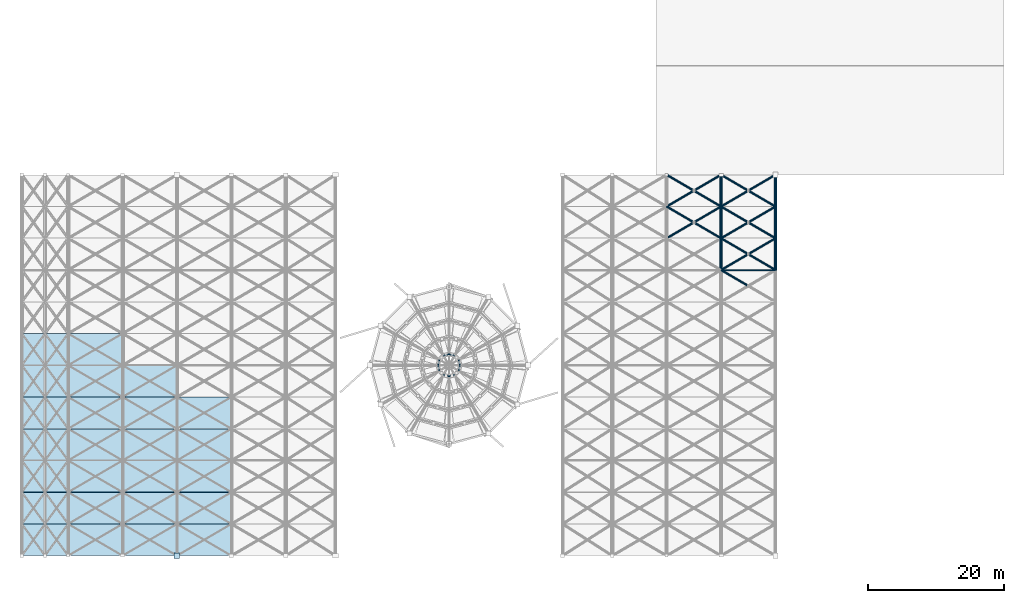
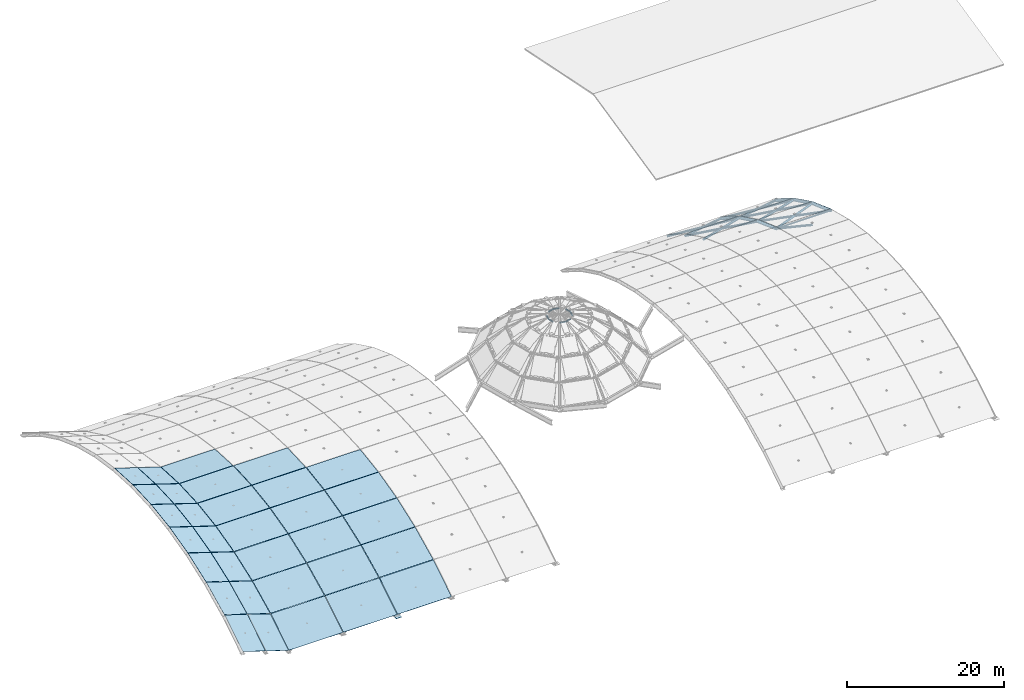
# One storey, part 11 of 21: 33 plates, 31 members.
"""IFC4 building model written with IfcOpenShell, lengths in metres."""

from ifc_helpers import new_model, si_unit, direction, frame, origin, origin_2d, place, context, subcontext, project, spatial, polyline, rectangle, hollow_circle, outline, extrude, material, layer, layer_set, material_profile, profile_set, type_object, element, save


model = new_model("IFC4")

# Units and contexts
model_context = context("Model", 3, precision=1e-05, world=origin(), true_north=direction((0.0, 1.0)))
body_context = subcontext(model_context, "Body", "Model", "MODEL_VIEW")
ifc_project = project(units=[si_unit("LENGTHUNIT", "METRE"), si_unit("AREAUNIT", "SQUARE_METRE"), si_unit("VOLUMEUNIT", "CUBIC_METRE"), si_unit("PLANEANGLEUNIT", "RADIAN"), si_unit("MASSUNIT", "GRAM", prefix="KILO")], contexts=[model_context])

# Site, building, storey
site_placement = place(None, origin())
site = spatial("IfcSite", under=ifc_project, at=site_placement, CompositionType="ELEMENT")
building_placement = place(site_placement, origin())
building = spatial("IfcBuilding", under=site, at=building_placement, Name="Solmirada Galleria", CompositionType="ELEMENT")
storey_placement = place(building_placement, frame((0.0, 0.0, 37.5)))
storey = spatial("IfcBuildingStorey", under=building, at=storey_placement, Name="RF", CompositionType="ELEMENT", Elevation=37.5)

# Members
ifc_material_1 = material(Name="Steel S355 / ASTM A500 Grade C", Category="steel")
ifc_material_profile_1 = material_profile(ifc_material_1, hollow_circle(Radius=0.109619140625, WallThickness=0.007568359375, at=origin_2d()), Name="HSS8.625X0.322")
ifc_profile_set_1 = profile_set([ifc_material_profile_1], Name="Steel S355 / ASTM A500 Grade C")
member_type_1 = type_object("IfcMemberType", Name="MEM-DOME-PURL", PredefinedType="PURLIN", material=ifc_profile_set_1)
member_1_placement = place(storey_placement, frame((136.0, 74.0, -2.471923828125), z_axis=(1.0, 0.0, 0.0), x_axis=(0.0, 1.0, 0.0)))
element("IfcMember", 1, at=member_1_placement, inside=storey, type_object=member_type_1, Name="Barrel gridshell longitudinal tie E03-09", PredefinedType="PURLIN", context=body_context, shape_type="SweptSolid", body=[
    extrude(hollow_circle(Radius=0.109619140625, WallThickness=0.007568359375, at=origin_2d()), origin(), (0.0, 0.0, 1.0), 8.0),
])
for number, where, z_axis, x_axis, name in (
    (2, (97.6240234375, 60.0, 6.5), (-0.258765118567, 0.965940274247, 0.0), (-0.965940274247, -0.258765118567, 0.0), "Atrium dome latitude ring purlin 1.4"),
    (3, (96.81201171875, 61.406494140625, 6.5), (-0.965940274247, 0.258765118567, 0.0), (-0.258765118567, -0.965940274247, 0.0), "Atrium dome latitude ring purlin 3.4"),
    (4, (96.0, 61.6240234375, 6.5), (-0.965940274247, -0.258765118567, 0.0), (0.258765118567, -0.965940274247, 0.0), "Atrium dome latitude ring purlin 4.4"),
    (5, (94.593505859375, 60.81201171875, 6.5), (-0.258765118567, -0.965940274247, 0.0), (0.965940274247, -0.258765118567, 0.0), "Atrium dome latitude ring purlin 6.4"),
    (6, (94.3759765625, 60.0, 6.5), (0.258765118567, -0.965940274247, 0.0), (0.965940274247, 0.258765118567, 0.0), "Atrium dome latitude ring purlin 7.4"),
    (7, (95.18798828125, 58.593505859375, 6.5), (0.965940274247, -0.258765118567, 0.0), (0.258765118567, 0.965940274247, 0.0), "Atrium dome latitude ring purlin 9.4"),
    (8, (96.0, 58.3759765625, 6.5), (0.965940274247, 0.258765118567, 0.0), (-0.258765118567, 0.965940274247, 0.0), "Atrium dome latitude ring purlin 10.4"),
    (9, (97.406494140625, 59.18798828125, 6.5), (0.258765118567, 0.965940274247, 0.0), (-0.965940274247, 0.258765118567, 0.0), "Atrium dome latitude ring purlin 12.4"),
):
    element("IfcMember", number, at=place(storey_placement, frame(where, z_axis=z_axis, x_axis=x_axis)), inside=storey, type_object=member_type_1, Name=name, PredefinedType="PURLIN", context=body_context, shape_type="SweptSolid", body=[
        extrude(hollow_circle(Radius=0.109619140625, WallThickness=0.007568359375, at=origin_2d()), origin(), (0.0, 0.0, 1.0), 0.840576171875),
    ])
ifc_material_profile_2 = material_profile(ifc_material_1, hollow_circle(Radius=0.228515625, WallThickness=0.01171875, at=origin_2d()), Name="HSS18.000X0.500")
ifc_profile_set_2 = profile_set([ifc_material_profile_2], Name="Steel S355 / ASTM A500 Grade C")
member_type_2 = type_object("IfcMemberType", Name="MEM-VAULT-ARCH2", PredefinedType="RAFTER", material=ifc_profile_set_2)
member_2_placement = place(storey_placement, frame((136.0, 74.0, -2.471923828125), z_axis=(0.0, 0.939570777515, -0.342354719612), x_axis=(-1.0, 0.0, 0.0)))
element("IfcMember", 10, at=member_2_placement, inside=storey, type_object=member_type_2, Name="Barrel vault arch rib E03-09", PredefinedType="RAFTER", context=body_context, shape_type="SweptSolid", body=[
    extrude(hollow_circle(Radius=0.228515625, WallThickness=0.01171875, at=origin_2d()), origin(), (0.0, 0.0, 1.0), 4.966796875),
])
member_3_placement = place(storey_placement, frame((136.0, 78.666748046875, -4.17236328125), z_axis=(0.0, 0.899303609311, -0.437324842971), x_axis=(-1.0, 0.0, 0.0)))
element("IfcMember", 11, at=member_3_placement, inside=storey, type_object=member_type_2, Name="Barrel vault arch rib E03-10", PredefinedType="RAFTER", context=body_context, shape_type="SweptSolid", body=[
    extrude(hollow_circle(Radius=0.228515625, WallThickness=0.01171875, at=origin_2d()), origin(), (0.0, 0.0, 1.0), 5.18896484375),
])
member_4_placement = place(storey_placement, frame((136.0, 83.333251953125, -6.441650390625), z_axis=(0.0, 0.847856236134, -0.53022618084), x_axis=(-1.0, 0.0, 0.0)))
element("IfcMember", 12, at=member_4_placement, inside=storey, type_object=member_type_2, Name="Barrel vault arch rib E03-11", PredefinedType="RAFTER", context=body_context, shape_type="SweptSolid", body=[
    extrude(hollow_circle(Radius=0.228515625, WallThickness=0.01171875, at=origin_2d()), origin(), (0.0, 0.0, 1.0), 5.504150390625),
])
member_5_placement = place(storey_placement, frame((144.0, 74.0, -2.471923828125), z_axis=(0.0, 0.939570777515, -0.342354719612), x_axis=(-1.0, 0.0, 0.0)))
element("IfcMember", 13, at=member_5_placement, inside=storey, type_object=member_type_2, Name="Barrel vault arch rib E04-09", PredefinedType="RAFTER", context=body_context, shape_type="SweptSolid", body=[
    extrude(hollow_circle(Radius=0.228515625, WallThickness=0.01171875, at=origin_2d()), origin(), (0.0, 0.0, 1.0), 4.966796875),
])
member_6_placement = place(storey_placement, frame((144.0, 78.666748046875, -4.17236328125), z_axis=(0.0, 0.899303609311, -0.437324842971), x_axis=(-1.0, 0.0, 0.0)))
element("IfcMember", 14, at=member_6_placement, inside=storey, type_object=member_type_2, Name="Barrel vault arch rib E04-10", PredefinedType="RAFTER", context=body_context, shape_type="SweptSolid", body=[
    extrude(hollow_circle(Radius=0.228515625, WallThickness=0.01171875, at=origin_2d()), origin(), (0.0, 0.0, 1.0), 5.18896484375),
])
member_7_placement = place(storey_placement, frame((144.0, 83.333251953125, -6.441650390625), z_axis=(0.0, 0.847856236134, -0.53022618084), x_axis=(-1.0, 0.0, 0.0)))
element("IfcMember", 15, at=member_7_placement, inside=storey, type_object=member_type_2, Name="Barrel vault arch rib E04-11", PredefinedType="RAFTER", context=body_context, shape_type="SweptSolid", body=[
    extrude(hollow_circle(Radius=0.228515625, WallThickness=0.01171875, at=origin_2d()), origin(), (0.0, 0.0, 1.0), 5.504150390625),
])
ifc_material_profile_3 = material_profile(ifc_material_1, hollow_circle(Radius=0.162109375, WallThickness=0.0087890625, at=origin_2d()), Name="HSS12.750X0.375")
ifc_profile_set_3 = profile_set([ifc_material_profile_3], Name="Steel S355 / ASTM A500 Grade C")
member_type_3 = type_object("IfcMemberType", Name="MEM-VAULT-DIAG", PredefinedType="BRACE", material=ifc_profile_set_3)
member_8_placement = place(storey_placement, frame((128.0, 78.666748046875, -4.17236328125), z_axis=(0.838969414701, 0.489381756366, -0.237982809743), x_axis=(-0.503857913421, 0.863786549492, 0.0)))
element("IfcMember", 16, at=member_8_placement, inside=storey, type_object=member_type_3, Name="Barrel gridshell continuous diagonal E02-10", PredefinedType="BRACE", context=body_context, shape_type="SweptSolid", body=[
    extrude(hollow_circle(Radius=0.162109375, WallThickness=0.0087890625, at=origin_2d()), origin(), (0.0, 0.0, 1.0), 9.535400390625),
])
for number, where, z_axis, x_axis, name in (
    (17, (128.0, 83.333251953125, -6.441650390625), (0.838964302507, -0.489378774357, 0.238006962772), (0.503857913421, 0.863786549492, 0.0), "Barrel gridshell split diagonal B1 E02-10"),
    (18, (132.0, 81.0, -5.306884765625), (0.838974526438, -0.489384738108, 0.237958656272), (0.503857913421, 0.863786549492, 0.0), "Barrel gridshell split diagonal B2 E02-10"),
):
    element("IfcMember", number, at=place(storey_placement, frame(where, z_axis=z_axis, x_axis=x_axis)), inside=storey, type_object=member_type_3, Name=name, PredefinedType="BRACE", context=body_context, shape_type="SweptSolid", body=[
        extrude(hollow_circle(Radius=0.162109375, WallThickness=0.0087890625, at=origin_2d()), origin(), (0.0, 0.0, 1.0), 4.767822265625),
    ])
member_9_placement = place(storey_placement, frame((128.0, 83.333251953125, -6.441650390625), z_axis=(0.823841216452, 0.480582423477, -0.300543148849), x_axis=(-0.503877581445, 0.863775076578, 0.0)))
element("IfcMember", 19, at=member_9_placement, inside=storey, type_object=member_type_3, Name="Barrel gridshell continuous diagonal E02-11", PredefinedType="BRACE", context=body_context, shape_type="SweptSolid", body=[
    extrude(hollow_circle(Radius=0.162109375, WallThickness=0.0087890625, at=origin_2d()), origin(), (0.0, 0.0, 1.0), 9.710693359375),
])
member_10_placement = place(storey_placement, frame((128.0, 88.0, -9.360107421875), z_axis=(0.823851170541, -0.480563088187, 0.300546780171), x_axis=(0.503857913421, 0.863786549492, 0.0)))
element("IfcMember", 20, at=member_10_placement, inside=storey, type_object=member_type_3, Name="Barrel gridshell split diagonal B1 E02-11", PredefinedType="BRACE", context=body_context, shape_type="SweptSolid", body=[
    extrude(hollow_circle(Radius=0.162109375, WallThickness=0.0087890625, at=origin_2d()), origin(), (0.0, 0.0, 1.0), 4.855224609375),
])
member_11_placement = place(storey_placement, frame((132.0, 85.666748046875, -7.90087890625), z_axis=(0.823831262204, -0.480601758066, 0.300539517468), x_axis=(0.503897248685, 0.863763603521, 0.0)))
element("IfcMember", 21, at=member_11_placement, inside=storey, type_object=member_type_3, Name="Barrel gridshell split diagonal B2 E02-11", PredefinedType="BRACE", context=body_context, shape_type="SweptSolid", body=[
    extrude(hollow_circle(Radius=0.162109375, WallThickness=0.0087890625, at=origin_2d()), origin(), (0.0, 0.0, 1.0), 4.85546875),
])
member_12_placement = place(storey_placement, frame((136.0, 74.0, -2.471923828125), z_axis=(0.856823806881, -0.499796455222, 0.126714116459), x_axis=(0.503857913421, 0.863786549492, 0.0)))
element("IfcMember", 22, at=member_12_placement, inside=storey, type_object=member_type_3, Name="Barrel gridshell split diagonal B1 E03-08", PredefinedType="BRACE", context=body_context, shape_type="SweptSolid", body=[
    extrude(hollow_circle(Radius=0.162109375, WallThickness=0.0087890625, at=origin_2d()), origin(), (0.0, 0.0, 1.0), 4.66845703125),
])
member_13_placement = place(storey_placement, frame((136.0, 74.0, -2.471923828125), z_axis=(0.84957466948, 0.495593866184, -0.180581285795), x_axis=(-0.503877581445, 0.863775076578, 0.0)))
element("IfcMember", 23, at=member_13_placement, inside=storey, type_object=member_type_3, Name="Barrel gridshell continuous diagonal E03-09", PredefinedType="BRACE", context=body_context, shape_type="SweptSolid", body=[
    extrude(hollow_circle(Radius=0.162109375, WallThickness=0.0087890625, at=origin_2d()), origin(), (0.0, 0.0, 1.0), 9.41650390625),
])
for number, where, z_axis, x_axis, name in (
    (24, (136.0, 78.666748046875, -4.17236328125), (0.849567730246, -0.495615744977, 0.180553884077), (0.503897248685, 0.863763603521, 0.0), "Barrel gridshell split diagonal B1 E03-09"),
    (25, (140.0, 76.333251953125, -3.322265625), (0.849581607741, -0.4955719864, 0.18060868773), (0.503857913421, 0.863786549492, 0.0), "Barrel gridshell split diagonal B2 E03-09"),
):
    element("IfcMember", number, at=place(storey_placement, frame(where, z_axis=z_axis, x_axis=x_axis)), inside=storey, type_object=member_type_3, Name=name, PredefinedType="BRACE", context=body_context, shape_type="SweptSolid", body=[
        extrude(hollow_circle(Radius=0.162109375, WallThickness=0.0087890625, at=origin_2d()), origin(), (0.0, 0.0, 1.0), 4.708251953125),
    ])
member_14_placement = place(storey_placement, frame((136.0, 78.666748046875, -4.17236328125), z_axis=(0.838969414701, 0.489381756366, -0.237982809743), x_axis=(-0.503857913421, 0.863786549492, 0.0)))
element("IfcMember", 26, at=member_14_placement, inside=storey, type_object=member_type_3, Name="Barrel gridshell continuous diagonal E03-10", PredefinedType="BRACE", context=body_context, shape_type="SweptSolid", body=[
    extrude(hollow_circle(Radius=0.162109375, WallThickness=0.0087890625, at=origin_2d()), origin(), (0.0, 0.0, 1.0), 9.535400390625),
])
for number, where, z_axis, x_axis, name in (
    (27, (136.0, 83.333251953125, -6.441650390625), (0.838964302507, -0.489378774357, 0.238006962772), (0.503857913421, 0.863786549492, 0.0), "Barrel gridshell split diagonal B1 E03-10"),
    (28, (140.0, 81.0, -5.306884765625), (0.838974526438, -0.489384738108, 0.237958656272), (0.503857913421, 0.863786549492, 0.0), "Barrel gridshell split diagonal B2 E03-10"),
):
    element("IfcMember", number, at=place(storey_placement, frame(where, z_axis=z_axis, x_axis=x_axis)), inside=storey, type_object=member_type_3, Name=name, PredefinedType="BRACE", context=body_context, shape_type="SweptSolid", body=[
        extrude(hollow_circle(Radius=0.162109375, WallThickness=0.0087890625, at=origin_2d()), origin(), (0.0, 0.0, 1.0), 4.767822265625),
    ])
member_15_placement = place(storey_placement, frame((136.0, 83.333251953125, -6.441650390625), z_axis=(0.823841216452, 0.480582423477, -0.300543148849), x_axis=(-0.503877581445, 0.863775076578, 0.0)))
element("IfcMember", 29, at=member_15_placement, inside=storey, type_object=member_type_3, Name="Barrel gridshell continuous diagonal E03-11", PredefinedType="BRACE", context=body_context, shape_type="SweptSolid", body=[
    extrude(hollow_circle(Radius=0.162109375, WallThickness=0.0087890625, at=origin_2d()), origin(), (0.0, 0.0, 1.0), 9.710693359375),
])
member_16_placement = place(storey_placement, frame((136.0, 88.0, -9.360107421875), z_axis=(0.823851170541, -0.480563088187, 0.300546780171), x_axis=(0.503857913421, 0.863786549492, 0.0)))
element("IfcMember", 30, at=member_16_placement, inside=storey, type_object=member_type_3, Name="Barrel gridshell split diagonal B1 E03-11", PredefinedType="BRACE", context=body_context, shape_type="SweptSolid", body=[
    extrude(hollow_circle(Radius=0.162109375, WallThickness=0.0087890625, at=origin_2d()), origin(), (0.0, 0.0, 1.0), 4.855224609375),
])
member_17_placement = place(storey_placement, frame((140.0, 85.666748046875, -7.90087890625), z_axis=(0.823831262204, -0.480601758066, 0.300539517468), x_axis=(0.503897248685, 0.863763603521, 0.0)))
element("IfcMember", 31, at=member_17_placement, inside=storey, type_object=member_type_3, Name="Barrel gridshell split diagonal B2 E03-11", PredefinedType="BRACE", context=body_context, shape_type="SweptSolid", body=[
    extrude(hollow_circle(Radius=0.162109375, WallThickness=0.0087890625, at=origin_2d()), origin(), (0.0, 0.0, 1.0), 4.85546875),
])

# Plates
ifc_material_2 = material(Name="Steel S355 / ASTM A572 Grade 50", Category="steel")
ifc_layer_1 = layer(ifc_material_2, 0.044921875)
ifc_layer_set_1 = layer_set([ifc_layer_1], Name="Steel S355 / ASTM A572 Grade 50")
plate_type_1 = type_object("IfcPlateType", Name="PLT-NODE-05", PredefinedType="SHEET", material=ifc_layer_set_1)
plate_1_placement = place(storey_placement, frame((56.0, 32.0, -9.382568359375), z_axis=(0.0, 0.0, 1.0), x_axis=(1.0, 0.0, 0.0)))
element("IfcPlate", 32, at=plate_1_placement, inside=storey, type_object=plate_type_1, Name="Barrel vault arch shoe node plate W04-1", PredefinedType="SHEET", context=body_context, shape_type="SweptSolid", body=[
    extrude(rectangle(XDim=0.800048828125, YDim=0.800048828125, at=origin_2d()), origin(), (0.0, 0.0, 1.0), 0.044921875),
])
ifc_material_3 = material(Name="Laminated solar-control skylight glass", Category="glass")
ifc_layer_2 = layer(ifc_material_3, 0.031982421875)
ifc_layer_set_2 = layer_set([ifc_layer_2], Name="Laminated solar-control skylight glass")
plate_type_2 = type_object("IfcPlateType", Name="PLT-VPANEL-00-BAY", PredefinedType="SHEET", material=ifc_layer_set_2)
for number, where, z_axis, x_axis, name in (
    (33, (40.031982421875, 32.018798828125, -9.058349609375), (0.0, -0.530236062005, 0.847850056643), (1.0, 0.0, 0.0), "Barrel gridshell diamond glazing W02-00"),
    (34, (48.031982421875, 32.018798828125, -9.058349609375), (0.0, -0.530236062005, 0.847850056643), (1.0, 0.0, 0.0), "Barrel gridshell diamond glazing W03-00"),
    (35, (56.031982421875, 32.018798828125, -9.058349609375), (0.0, -0.530236062005, 0.847850056643), (1.0, 0.0, 0.0), "Barrel gridshell diamond glazing W04-00"),
):
    element("IfcPlate", number, at=place(storey_placement, frame(where, z_axis=z_axis, x_axis=x_axis)), inside=storey, type_object=plate_type_2, Name=name, PredefinedType="SHEET", context=body_context, shape_type="SweptSolid", body=[
        extrude(outline(polyline([(0.0, 0.0), (7.93603515625, 0.0), (7.93603515625, 5.459869176577636), (0.0, 5.459869176577636), (0.0, 0.0)])), origin(), (0.0, 0.0, -1.0), 0.031982421875),
    ])
ifc_layer_3 = layer(ifc_material_3, 0.031982421875)
ifc_layer_set_3 = layer_set([ifc_layer_3], Name="Laminated solar-control skylight glass")
plate_type_3 = type_object("IfcPlateType", Name="PLT-VPANEL-00-CAN", PredefinedType="SHEET", material=ifc_layer_set_3)
plate_2_placement = place(storey_placement, frame((33.213623046875, 32.018798828125, -6.86279296875), z_axis=(0.264502037964, -0.511351771648, 0.817653983996), x_axis=(0.951455789712, 0.0, -0.307785445112)))
element("IfcPlate", 36, at=plate_2_placement, inside=storey, type_object=plate_type_3, Name="Barrel gridshell diamond glazing W00-00", PredefinedType="SHEET", context=body_context, shape_type="SweptSolid", body=[
    extrude(outline(polyline([(0.0, 0.0), (3.5448864475297985, 1.1102230246251565e-16), (2.653841572495639, 5.3866696999183015), (-0.8910448750341596, 5.3866696999183015), (0.0, 0.0)])), origin(), (0.0, 0.0, -1.0), 0.031982421875),
])
plate_3_placement = place(storey_placement, frame((36.613525390625, 32.018798828125, -7.962646484375), z_axis=(0.2645570819, -0.511343765828, 0.81764118265), x_axis=(0.951435619559, 0.0, -0.307847790042)))
element("IfcPlate", 37, at=plate_3_placement, inside=storey, type_object=plate_type_3, Name="Barrel gridshell diamond glazing W01-00", PredefinedType="SHEET", context=body_context, shape_type="SweptSolid", body=[
    extrude(outline(polyline([(0.0, 0.0), (3.5449615980712794, 0.0), (2.6537362332475403, 5.386639840794756), (-0.8912253648237394, 5.386639840794756), (0.0, 0.0)])), origin(), (0.0, 0.0, -1.0), 0.031982421875),
])
ifc_layer_4 = layer(ifc_material_3, 0.033935546875)
ifc_layer_set_4 = layer_set([ifc_layer_4], Name="Laminated solar-control skylight glass")
plate_type_4 = type_object("IfcPlateType", Name="PLT-VPANEL-01-BAY", PredefinedType="SHEET", material=ifc_layer_set_4)
for number, where, z_axis, x_axis, name in (
    (38, (40.031982421875, 36.685302734375, -6.142578125), (0.0, -0.437283282733, 0.899323818567), (1.0, 0.0, 0.0), "Barrel gridshell diamond glazing W02-01"),
    (39, (48.031982421875, 36.685302734375, -6.142578125), (0.0, -0.437283282733, 0.899323818567), (1.0, 0.0, 0.0), "Barrel gridshell diamond glazing W03-01"),
    (40, (56.031982421875, 36.685302734375, -6.142578125), (0.0, -0.437283282733, 0.899323818567), (1.0, 0.0, 0.0), "Barrel gridshell diamond glazing W04-01"),
):
    element("IfcPlate", number, at=place(storey_placement, frame(where, z_axis=z_axis, x_axis=x_axis)), inside=storey, type_object=plate_type_4, Name=name, PredefinedType="SHEET", context=body_context, shape_type="SweptSolid", body=[
        extrude(outline(polyline([(0.0, 0.0), (7.93603515625, 0.0), (7.93603515625, 5.147639188102807), (0.0, 5.147639188102807), (0.0, 0.0)])), origin(), (0.0, 0.0, -1.0), 0.033935546875),
    ])
ifc_layer_5 = layer(ifc_material_3, 0.033935546875)
ifc_layer_set_5 = layer_set([ifc_layer_5], Name="Laminated solar-control skylight glass")
plate_type_5 = type_object("IfcPlateType", Name="PLT-VPANEL-01-CAN", PredefinedType="SHEET", material=ifc_layer_set_5)
plate_4_placement = place(storey_placement, frame((33.213623046875, 36.685302734375, -3.947021484375), z_axis=(0.279366517035, -0.419891062735, 0.863507871762), x_axis=(0.951447483053, 1.2485636e-05, -0.307811122015)))
element("IfcPlate", 41, at=plate_4_placement, inside=storey, type_object=plate_type_5, Name="Barrel gridshell diamond glazing W00-01", PredefinedType="SHEET", context=body_context, shape_type="SweptSolid", body=[
    extrude(outline(polyline([(0.0, 0.0), (3.5448864459626126, 5.551115123125783e-17), (2.8520686255646024, 5.1008031394594795), (-0.6928929695977208, 5.100900675539281), (0.0, 0.0)])), origin(), (0.0, 0.0, -1.0), 0.033935546875),
])
plate_5_placement = place(storey_placement, frame((36.613525390625, 36.685302734375, -5.046875), z_axis=(0.279398001208, -0.419868641383, 0.863508587626), x_axis=(0.951435619559, 0.0, -0.307847790042)))
element("IfcPlate", 42, at=plate_5_placement, inside=storey, type_object=plate_type_5, Name="Barrel gridshell diamond glazing W01-01", PredefinedType="SHEET", context=body_context, shape_type="SweptSolid", body=[
    extrude(outline(polyline([(0.0, 0.0), (3.5449615980712794, 0.0), (2.8520034378693166, 5.100784076894574), (-0.692958160201963, 5.100784076894575), (0.0, 0.0)])), origin(), (0.0, 0.0, -1.0), 0.033935546875),
])
ifc_layer_6 = layer(ifc_material_3, 0.035888671875)
ifc_layer_set_6 = layer_set([ifc_layer_6], Name="Laminated solar-control skylight glass")
plate_type_6 = type_object("IfcPlateType", Name="PLT-VPANEL-02-BAY", PredefinedType="SHEET", material=ifc_layer_set_6)
for number, where, z_axis, x_axis, name in (
    (43, (40.031982421875, 41.35205078125, -3.87548828125), (0.0, -0.342359685666, 0.939568968001), (1.0, 0.0, 0.0), "Barrel gridshell diamond glazing W02-02"),
    (44, (48.031982421875, 41.35205078125, -3.87548828125), (0.0, -0.342359685666, 0.939568968001), (1.0, 0.0, 0.0), "Barrel gridshell diamond glazing W03-02"),
    (45, (56.031982421875, 41.35205078125, -3.87548828125), (0.0, -0.342359685666, 0.939568968001), (1.0, 0.0, 0.0), "Barrel gridshell diamond glazing W04-02"),
):
    element("IfcPlate", number, at=place(storey_placement, frame(where, z_axis=z_axis, x_axis=x_axis)), inside=storey, type_object=plate_type_6, Name=name, PredefinedType="SHEET", context=body_context, shape_type="SweptSolid", body=[
        extrude(outline(polyline([(0.0, 0.0), (7.93603515625, 0.0), (7.93603515625, 4.926887273079958), (0.0, 4.926887273079958), (0.0, 0.0)])), origin(), (0.0, 0.0, -1.0), 0.035888671875),
    ])
ifc_layer_7 = layer(ifc_material_3, 0.035888671875)
ifc_layer_set_7 = layer_set([ifc_layer_7], Name="Laminated solar-control skylight glass")
plate_type_7 = type_object("IfcPlateType", Name="PLT-VPANEL-02-CAN", PredefinedType="SHEET", material=ifc_layer_set_7)
plate_6_placement = place(storey_placement, frame((33.213623046875, 41.35205078125, -1.679931640625), z_axis=(0.290864206832, -0.327557540647, 0.8989460889), x_axis=(0.951435619559, 0.0, -0.307847790042)))
element("IfcPlate", 46, at=plate_6_placement, inside=storey, type_object=plate_type_7, Name="Barrel gridshell diamond glazing W00-02", PredefinedType="SHEET", context=body_context, shape_type="SweptSolid", body=[
    extrude(outline(polyline([(0.0, 0.0), (3.5449615980712794, 0.0), (3.0256939268310017, 4.899446834821456), (-0.5192676712402778, 4.899446834821456), (0.0, 0.0)])), origin(), (0.0, 0.0, -1.0), 0.035888671875),
])
plate_7_placement = place(storey_placement, frame((36.613525390625, 41.35205078125, -2.780029296875), z_axis=(0.290804639925, -0.327563739687, 0.89896310149), x_axis=(0.951455789712, 0.0, -0.307785445112)))
element("IfcPlate", 47, at=plate_7_placement, inside=storey, type_object=plate_type_7, Name="Barrel gridshell diamond glazing W01-02", PredefinedType="SHEET", context=body_context, shape_type="SweptSolid", body=[
    extrude(outline(polyline([(0.0, 0.0), (3.5448864475297985, 0.0), (3.025723937695846, 4.899457979207514), (-0.5191625098339526, 4.899457979207515), (0.0, 0.0)])), origin(), (0.0, 0.0, -1.0), 0.035888671875),
])
ifc_layer_8 = layer(ifc_material_3, 0.0380859375)
ifc_layer_set_8 = layer_set([ifc_layer_8], Name="Laminated solar-control skylight glass")
plate_type_8 = type_object("IfcPlateType", Name="PLT-VPANEL-03-BAY", PredefinedType="SHEET", material=ifc_layer_set_8)
for number, where, z_axis, x_axis, name in (
    (48, (40.031982421875, 46.018798828125, -2.17724609375), (0.0, -0.245745993637, 0.969334259485), (1.0, 0.0, 0.0), "Barrel gridshell diamond glazing W02-03"),
    (49, (48.031982421875, 46.018798828125, -2.17724609375), (0.0, -0.245745993637, 0.969334259485), (1.0, 0.0, 0.0), "Barrel gridshell diamond glazing W03-03"),
    (50, (56.031982421875, 46.018798828125, -2.17724609375), (0.0, -0.245745993637, 0.969334259485), (1.0, 0.0, 0.0), "Barrel gridshell diamond glazing W04-03"),
):
    element("IfcPlate", number, at=place(storey_placement, frame(where, z_axis=z_axis, x_axis=x_axis)), inside=storey, type_object=plate_type_8, Name=name, PredefinedType="SHEET", context=body_context, shape_type="SweptSolid", body=[
        extrude(outline(polyline([(0.0, 0.0), (7.93603515625, 0.0), (7.93603515625, 4.775597628297959), (0.0, 4.775597628297959), (0.0, 0.0)])), origin(), (0.0, 0.0, -1.0), 0.0380859375),
    ])
ifc_layer_9 = layer(ifc_material_3, 0.0380859375)
ifc_layer_set_9 = layer_set([ifc_layer_9], Name="Laminated solar-control skylight glass")
plate_type_9 = type_object("IfcPlateType", Name="PLT-VPANEL-03-CAN", PredefinedType="SHEET", material=ifc_layer_set_9)
plate_8_placement = place(storey_placement, frame((33.213623046875, 46.018798828125, 0.018310546875), z_axis=(0.29923283845, -0.23450885949, 0.924913673384), x_axis=(0.951445150395, -7.46894e-06, -0.307818332357)))
element("IfcPlate", 51, at=plate_8_placement, inside=storey, type_object=plate_type_9, Name="Barrel gridshell diamond glazing W00-03", PredefinedType="SHEET", context=body_context, shape_type="SweptSolid", body=[
    extrude(outline(polyline([(0.0, 0.0), (3.544961596273316, -5.551115123125783e-17), (3.1836012055155716, 4.761966448990227), (-0.36128523979769644, 4.761911976313924), (0.0, 0.0)])), origin(), (0.0, 0.0, -1.0), 0.0380859375),
])
plate_9_placement = place(storey_placement, frame((36.613525390625, 46.018798828125, -1.081787109375), z_axis=(0.29923283845, -0.23450885949, 0.924913673384), x_axis=(0.95144625964, 7.469098e-06, -0.307814903734)))
element("IfcPlate", 52, at=plate_9_placement, inside=storey, type_object=plate_type_9, Name="Barrel gridshell diamond glazing W01-03", PredefinedType="SHEET", context=body_context, shape_type="SweptSolid", body=[
    extrude(outline(polyline([(0.0, 0.0), (3.544886445731796, 5.551115123125783e-17), (3.183674380137236, 4.761917527459562), (-0.36128721571754246, 4.761972001290668), (0.0, 0.0)])), origin(), (0.0, 0.0, -1.0), 0.0380859375),
])
ifc_layer_10 = layer(ifc_material_3, 0.0400390625)
ifc_layer_set_10 = layer_set([ifc_layer_10], Name="Laminated solar-control skylight glass")
plate_type_10 = type_object("IfcPlateType", Name="PLT-VPANEL-04-BAY", PredefinedType="SHEET", material=ifc_layer_set_10)
for number, where, z_axis, x_axis, name in (
    (53, (40.031982421875, 50.685302734375, -0.99609375), (0.0, -0.147917062763, 0.988999768728), (1.0, 0.0, 0.0), "Barrel gridshell diamond glazing W02-04"),
    (54, (48.031982421875, 50.685302734375, -0.99609375), (0.0, -0.147917062763, 0.988999768728), (1.0, 0.0, 0.0), "Barrel gridshell diamond glazing W03-04"),
    (55, (56.031982421875, 50.685302734375, -0.99609375), (0.0, -0.147917062763, 0.988999768728), (1.0, 0.0, 0.0), "Barrel gridshell diamond glazing W04-04"),
):
    element("IfcPlate", number, at=place(storey_placement, frame(where, z_axis=z_axis, x_axis=x_axis)), inside=storey, type_object=plate_type_10, Name=name, PredefinedType="SHEET", context=body_context, shape_type="SweptSolid", body=[
        extrude(outline(polyline([(0.0, 0.0), (7.93603515625, 0.0), (7.93603515625, 4.680885352688401), (0.0, 4.680885352688401), (0.0, 0.0)])), origin(), (0.0, 0.0, -1.0), 0.0400390625),
    ])
ifc_layer_11 = layer(ifc_material_3, 0.0400390625)
ifc_layer_set_11 = layer_set([ifc_layer_11], Name="Laminated solar-control skylight glass")
plate_type_11 = type_object("IfcPlateType", Name="PLT-VPANEL-04-CAN", PredefinedType="SHEET", material=ifc_layer_set_11)
plate_10_placement = place(storey_placement, frame((33.213623046875, 50.685302734375, 1.199462890625), z_axis=(0.304745546919, -0.140905505243, 0.941953178361), x_axis=(0.951445905264, 4.570514e-06, -0.307815999153)))
element("IfcPlate", 56, at=plate_10_placement, inside=storey, type_object=plate_type_11, Name="Barrel gridshell diamond glazing W00-04", PredefinedType="SHEET", context=body_context, shape_type="SweptSolid", body=[
    extrude(outline(polyline([(0.0, 0.0), (3.544886445664937, 0.0), (3.3317810971492325, 4.67603184144691), (-0.21318049890612245, 4.676064572247407), (0.0, 0.0)])), origin(), (0.0, 0.0, -1.0), 0.0400390625),
])
plate_11_placement = place(storey_placement, frame((36.613525390625, 50.685302734375, 0.099609375), z_axis=(0.304777538576, -0.140879696615, 0.941946688014), x_axis=(0.951435619559, 0.0, -0.307847790042)))
element("IfcPlate", 57, at=plate_11_placement, inside=storey, type_object=plate_type_11, Name="Barrel gridshell diamond glazing W01-04", PredefinedType="SHEET", context=body_context, shape_type="SweptSolid", body=[
    extrude(outline(polyline([(0.0, 0.0), (3.5449615980712794, 0.0), (3.3318130793800904, 4.676029875224557), (-0.21314851869118948, 4.676029875224556), (0.0, 0.0)])), origin(), (0.0, 0.0, -1.0), 0.0400390625),
])
ifc_layer_12 = layer(ifc_material_3, 0.0419921875)
ifc_layer_set_12 = layer_set([ifc_layer_12], Name="Laminated solar-control skylight glass")
plate_type_12 = type_object("IfcPlateType", Name="PLT-VPANEL-05-BAY", PredefinedType="SHEET", material=ifc_layer_set_12)
for number, where, z_axis, x_axis, name in (
    (58, (40.031982421875, 55.35205078125, -0.2998046875), (0.0, -0.049409542181, 0.998778602665), (1.0, 0.0, 0.0), "Barrel gridshell diamond glazing W02-05"),
    (59, (40.031982421875, 60.018798828125, -0.07080078125), (0.0, 0.049409542181, 0.998778602665), (1.0, 0.0, 0.0), "Barrel gridshell diamond glazing W02-06"),
    (60, (48.031982421875, 55.35205078125, -0.2998046875), (0.0, -0.049409542181, 0.998778602665), (1.0, 0.0, 0.0), "Barrel gridshell diamond glazing W03-05"),
):
    element("IfcPlate", number, at=place(storey_placement, frame(where, z_axis=z_axis, x_axis=x_axis)), inside=storey, type_object=plate_type_12, Name=name, PredefinedType="SHEET", context=body_context, shape_type="SweptSolid", body=[
        extrude(outline(polyline([(0.0, 0.0), (7.93603515625, 0.0), (7.93603515625, 4.634811336840082), (0.0, 4.634811336840082), (0.0, 0.0)])), origin(), (0.0, 0.0, -1.0), 0.0419921875),
    ])
ifc_layer_13 = layer(ifc_material_3, 0.0419921875)
ifc_layer_set_13 = layer_set([ifc_layer_13], Name="Laminated solar-control skylight glass")
plate_type_13 = type_object("IfcPlateType", Name="PLT-VPANEL-05-CAN", PredefinedType="SHEET", material=ifc_layer_set_13)
plate_12_placement = place(storey_placement, frame((33.213623046875, 55.35205078125, 1.895751953125), z_axis=(0.307507360529, -0.047015437506, 0.950383486734), x_axis=(0.951435619559, 0.0, -0.307847790042)))
element("IfcPlate", 61, at=plate_12_placement, inside=storey, type_object=plate_type_13, Name="Barrel gridshell diamond glazing W00-05", PredefinedType="SHEET", context=body_context, shape_type="SweptSolid", body=[
    extrude(outline(polyline([(0.0, 0.0), (3.5449615980712794, 6.938893903907228e-18), (3.474463251621232, 4.634275144102814), (-0.07049834645004786, 4.634275144102814), (0.0, 0.0)])), origin(), (0.0, 0.0, -1.0), 0.0419921875),
])
plate_13_placement = place(storey_placement, frame((33.213623046875, 60.018798828125, 2.124755859375), z_axis=(0.307507360529, 0.047015437506, 0.950383486734), x_axis=(0.951435619559, 0.0, -0.307847790042)))
element("IfcPlate", 62, at=plate_13_placement, inside=storey, type_object=plate_type_13, Name="Barrel gridshell diamond glazing W00-06", PredefinedType="SHEET", context=body_context, shape_type="SweptSolid", body=[
    extrude(outline(polyline([(0.0, 0.0), (3.5449615980712794, -6.938893903907228e-18), (3.6154599445213274, 4.634275144102814), (0.07049834645004786, 4.634275144102814), (0.0, 0.0)])), origin(), (0.0, 0.0, -1.0), 0.0419921875),
])
plate_14_placement = place(storey_placement, frame((36.613525390625, 55.35205078125, 0.795654296875), z_axis=(0.307445070135, -0.047016432016, 0.950403590045), x_axis=(0.951455789712, 0.0, -0.307785445112)))
element("IfcPlate", 63, at=plate_14_placement, inside=storey, type_object=plate_type_13, Name="Barrel gridshell diamond glazing W01-05", PredefinedType="SHEET", context=body_context, shape_type="SweptSolid", body=[
    extrude(outline(polyline([(0.0, 0.0), (3.5448864475297985, -6.938893903907228e-18), (3.47440237831222, 4.634275361271477), (-0.07048406921757816, 4.634275361271477), (0.0, 0.0)])), origin(), (0.0, 0.0, -1.0), 0.0419921875),
])
plate_15_placement = place(storey_placement, frame((36.613525390625, 60.018798828125, 1.024658203125), z_axis=(0.307445070135, 0.047016432016, 0.950403590045), x_axis=(0.951455789712, 0.0, -0.307785445112)))
element("IfcPlate", 64, at=plate_15_placement, inside=storey, type_object=plate_type_13, Name="Barrel gridshell diamond glazing W01-06", PredefinedType="SHEET", context=body_context, shape_type="SweptSolid", body=[
    extrude(outline(polyline([(0.0, 0.0), (3.5448864475297985, 6.938893903907228e-18), (3.615370516747377, 4.634275361271477), (0.07048406921757816, 4.634275361271477), (0.0, 0.0)])), origin(), (0.0, 0.0, -1.0), 0.0419921875),
])

save(model, "model.ifc")
